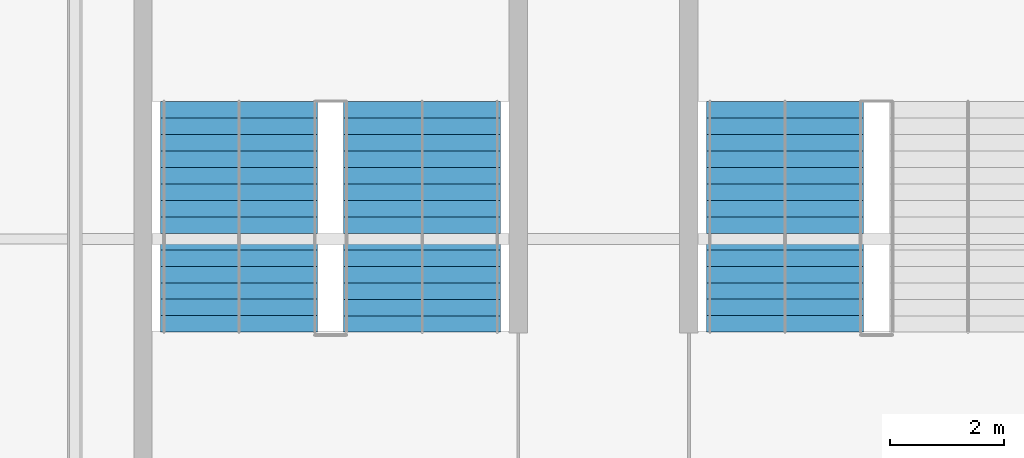
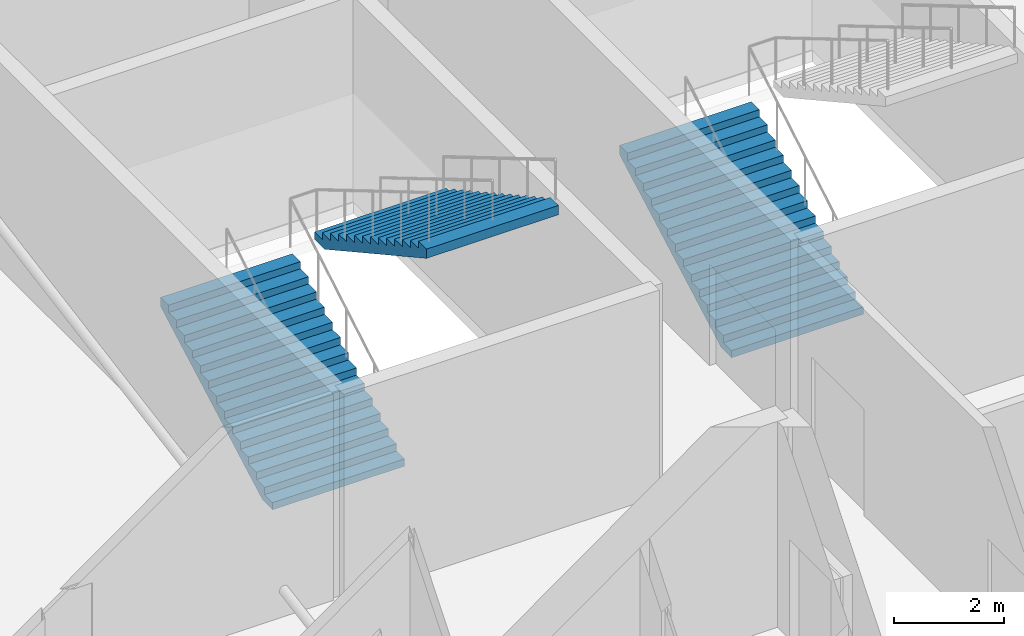
# One storey, part 116 of 136: 3 stair flights, 2 elements without a shape of their own.
"""IFC4 building model written with IfcOpenShell, lengths in metres."""

from ifc_helpers import new_model, si_unit, direction, frame, origin, place, context, subcontext, project, spatial, polygons, material, type_object, element, aggregate, save


model = new_model("IFC4")

# Units and contexts
model_context = context("Model", 3, precision=1e-05, world=origin(), true_north=direction((0.0, 1.0)))
body_context = subcontext(model_context, "Body", "Model", "MODEL_VIEW")
ifc_project = project(units=[si_unit("LENGTHUNIT", "METRE"), si_unit("AREAUNIT", "SQUARE_METRE"), si_unit("VOLUMEUNIT", "CUBIC_METRE"), si_unit("PLANEANGLEUNIT", "RADIAN"), si_unit("MASSUNIT", "GRAM", prefix="KILO")], contexts=[model_context])

# Site, building, storey
site_placement = place(None, origin())
site = spatial("IfcSite", under=ifc_project, at=site_placement, CompositionType="ELEMENT")
building_placement = place(site_placement, origin())
building = spatial("IfcBuilding", under=site, at=building_placement, Name="Kisiwana Market Hall", CompositionType="ELEMENT")
storey_placement = place(building_placement, frame((0.0, 0.0, 16.800048828125)))
storey = spatial("IfcBuildingStorey", under=building, at=storey_placement, Name="L03", CompositionType="ELEMENT", Elevation=16.800048828125)

# Stair, stair flights
ifc_material_1 = material(Name="Concrete C32/40", Category="concrete")
stair_type = type_object("IfcStairType", Name="ST-ESC-4800", PredefinedType="TWO_STRAIGHT_RUN_STAIR", material=ifc_material_1)
stair_1_placement = place(storey_placement, origin())
stair_1 = element("IfcStair", 1, at=stair_1_placement, inside=storey, type_object=stair_type, Name="Escape stair ST-W3-L03", PredefinedType="TWO_STRAIGHT_RUN_STAIR")
ifc_material_2 = material(Name="Concrete C32/40", Category="concrete")
stair_flight_type = type_object("IfcStairFlightType", Name="SF-ESC-4800", PredefinedType="STRAIGHT", material=ifc_material_2)
stair_flight_1_placement = place(storey_placement, frame((11.889892578125, 42.360107421875, 0.0), z_axis=(0.0, 0.0, 1.0), x_axis=(0.0, 1.0, 0.0)))
stair_flight_1 = element("IfcStairFlight", 2, at=stair_flight_1_placement, type_object=stair_flight_type, Name="ST-W3-L03 flight 1", NumberOfRisers=15, NumberOfTreads=14, PredefinedType="STRAIGHT", RiserHeight=0.16, TreadLength=0.29, context=body_context, shape_type="Tessellation", body=[
    polygons([(0.0, -1.380127, 0.0), (0.0, -0.690125, 0.0), (0.0, -0.000122, 0.0), (0.0, 0.68988, 0.0), (0.0, 1.379883, 0.0), (0.0, -1.380127, 0.159912), (0.0, -0.690125, 0.159912), (0.0, -0.000122, 0.159912), (0.0, 0.68988, 0.159912), (0.0, 1.379883, 0.159912), (0.290039, -1.380127, 0.159912), (0.290039, -0.690125, 0.159912), (0.290039, -0.000122, 0.159912), (0.290039, 0.68988, 0.159912), (0.290039, 1.379883, 0.159912), (0.290039, -1.380127, 0.320068), (0.290039, -0.690125, 0.320068), (0.290039, -0.000122, 0.320068), (0.290039, 0.68988, 0.320068), (0.290039, 1.379883, 0.320068), (0.580078, -1.380127, 0.320068), (0.580078, -0.690125, 0.320068), (0.580078, -0.000122, 0.320068), (0.580078, 0.68988, 0.320068), (0.580078, 1.379883, 0.320068), (0.580078, -1.380127, 0.47998), (0.580078, -0.690125, 0.47998), (0.580078, -0.000122, 0.47998), (0.580078, 0.68988, 0.47998), (0.580078, 1.379883, 0.47998), (0.870117, -1.380127, 0.47998), (0.870117, -0.690125, 0.47998), (0.870117, -0.000122, 0.47998), (0.870117, 0.68988, 0.47998), (0.870117, 1.379883, 0.47998), (0.870117, -1.380127, 0.639893), (0.870117, -0.690125, 0.639893), (0.870117, -0.000122, 0.639893), (0.870117, 0.68988, 0.639893), (0.870117, 1.379883, 0.639893), (1.159912, -1.380127, 0.639893), (1.159912, -0.690125, 0.639893), (1.159912, -0.000122, 0.639893), (1.159912, 0.68988, 0.639893), (1.159912, 1.379883, 0.639893), (1.159912, -1.380127, 0.800049), (1.159912, -0.690125, 0.800049), (1.159912, -0.000122, 0.800049), (1.159912, 0.68988, 0.800049), (1.159912, 1.379883, 0.800049), (1.449951, -1.380127, 0.800049), (1.449951, -0.690125, 0.800049), (1.449951, -0.000122, 0.800049), (1.449951, 0.68988, 0.800049), (1.449951, 1.379883, 0.800049), (1.449951, -1.380127, 0.959961), (1.449951, -0.690125, 0.959961), (1.449951, -0.000122, 0.959961), (1.449951, 0.68988, 0.959961), (1.449951, 1.379883, 0.959961), (1.73999, -1.380127, 0.959961), (1.73999, -0.690125, 0.959961), (1.73999, -0.000122, 0.959961), (1.73999, 0.68988, 0.959961), (1.73999, 1.379883, 0.959961), (1.73999, -1.380127, 1.120117), (1.73999, -0.690125, 1.120117), (1.73999, -0.000122, 1.120117), (1.73999, 0.68988, 1.120117), (1.73999, 1.379883, 1.120117), (2.030029, -1.380127, 1.120117), (2.030029, -0.690125, 1.120117), (2.030029, -0.000122, 1.120117), (2.030029, 0.68988, 1.120117), (2.030029, 1.379883, 1.120117), (2.030029, -1.380127, 1.280029), (2.030029, -0.690125, 1.280029), (2.030029, -0.000122, 1.280029), (2.030029, 0.68988, 1.280029), (2.030029, 1.379883, 1.280029), (2.320068, -1.380127, 1.280029), (2.320068, -0.690125, 1.280029), (2.320068, -0.000122, 1.280029), (2.320068, 0.68988, 1.280029), (2.320068, 1.379883, 1.280029), (2.320068, -1.380127, 1.439941), (2.320068, -0.690125, 1.439941), (2.320068, -0.000122, 1.439941), (2.320068, 0.68988, 1.439941), (2.320068, 1.379883, 1.439941), (2.610107, -1.380127, 1.439941), (2.610107, -0.690125, 1.439941), (2.610107, -0.000122, 1.439941), (2.610107, 0.68988, 1.439941), (2.610107, 1.379883, 1.439941), (2.610107, -1.380127, 1.600098), (2.610107, -0.690125, 1.600098), (2.610107, -0.000122, 1.600098), (2.610107, 0.68988, 1.600098), (2.610107, 1.379883, 1.600098), (2.899902, -1.380127, 1.600098), (2.899902, -0.690125, 1.600098), (2.899902, -0.000122, 1.600098), (2.899902, 0.68988, 1.600098), (2.899902, 1.379883, 1.600098), (2.899902, -1.380127, 1.76001), (2.899902, -0.690125, 1.76001), (2.899902, -0.000122, 1.76001), (2.899902, 0.68988, 1.76001), (2.899902, 1.379883, 1.76001), (3.189941, -1.380127, 1.76001), (3.189941, -0.690125, 1.76001), (3.189941, -0.000122, 1.76001), (3.189941, 0.68988, 1.76001), (3.189941, 1.379883, 1.76001), (3.189941, -1.380127, 1.919922), (3.189941, -0.690125, 1.919922), (3.189941, -0.000122, 1.919922), (3.189941, 0.68988, 1.919922), (3.189941, 1.379883, 1.919922), (3.47998, -1.380127, 1.919922), (3.47998, -0.690125, 1.919922), (3.47998, -0.000122, 1.919922), (3.47998, 0.68988, 1.919922), (3.47998, 1.379883, 1.919922), (3.47998, -1.380127, 2.080078), (3.47998, -0.690125, 2.080078), (3.47998, -0.000122, 2.080078), (3.47998, 0.68988, 2.080078), (3.47998, 1.379883, 2.080078), (3.77002, -1.380127, 2.080078), (3.77002, -0.690125, 2.080078), (3.77002, -0.000122, 2.080078), (3.77002, 0.68988, 2.080078), (3.77002, 1.379883, 2.080078), (3.77002, -1.380127, 2.23999), (3.77002, -0.690125, 2.23999), (3.77002, -0.000122, 2.23999), (3.77002, 0.68988, 2.23999), (3.77002, 1.379883, 2.23999), (4.060059, -1.380127, 2.23999), (4.060059, -0.690125, 2.23999), (4.060059, -0.000122, 2.23999), (4.060059, 0.68988, 2.23999), (4.060059, 1.379883, 2.23999), (4.060059, -1.380127, 2.034424), (4.060059, -0.690125, 2.034424), (4.060059, -0.000122, 2.034424), (4.060059, 0.68988, 2.034424), (4.060059, 1.379883, 2.034424), (0.372559, -1.380127, 0.0), (0.372559, -0.690125, 0.0), (0.372559, -0.000122, 0.0), (0.372559, 0.68988, 0.0), (0.372559, 1.379883, 0.0)], [[[1, 6, 7, 2]], [[2, 7, 8, 3]], [[3, 8, 9, 4]], [[4, 9, 10, 5]], [[6, 11, 12, 7]], [[7, 12, 13, 8]], [[8, 13, 14, 9]], [[9, 14, 15, 10]], [[11, 16, 17, 12]], [[12, 17, 18, 13]], [[13, 18, 19, 14]], [[14, 19, 20, 15]], [[16, 21, 22, 17]], [[17, 22, 23, 18]], [[18, 23, 24, 19]], [[19, 24, 25, 20]], [[21, 26, 27, 22]], [[22, 27, 28, 23]], [[23, 28, 29, 24]], [[24, 29, 30, 25]], [[26, 31, 32, 27]], [[27, 32, 33, 28]], [[28, 33, 34, 29]], [[29, 34, 35, 30]], [[31, 36, 37, 32]], [[32, 37, 38, 33]], [[33, 38, 39, 34]], [[34, 39, 40, 35]], [[36, 41, 42, 37]], [[37, 42, 43, 38]], [[38, 43, 44, 39]], [[39, 44, 45, 40]], [[41, 46, 47, 42]], [[42, 47, 48, 43]], [[43, 48, 49, 44]], [[44, 49, 50, 45]], [[46, 51, 52, 47]], [[47, 52, 53, 48]], [[48, 53, 54, 49]], [[49, 54, 55, 50]], [[51, 56, 57, 52]], [[52, 57, 58, 53]], [[53, 58, 59, 54]], [[54, 59, 60, 55]], [[56, 61, 62, 57]], [[57, 62, 63, 58]], [[58, 63, 64, 59]], [[59, 64, 65, 60]], [[61, 66, 67, 62]], [[62, 67, 68, 63]], [[63, 68, 69, 64]], [[64, 69, 70, 65]], [[66, 71, 72, 67]], [[67, 72, 73, 68]], [[68, 73, 74, 69]], [[69, 74, 75, 70]], [[71, 76, 77, 72]], [[72, 77, 78, 73]], [[73, 78, 79, 74]], [[74, 79, 80, 75]], [[76, 81, 82, 77]], [[77, 82, 83, 78]], [[78, 83, 84, 79]], [[79, 84, 85, 80]], [[81, 86, 87, 82]], [[82, 87, 88, 83]], [[83, 88, 89, 84]], [[84, 89, 90, 85]], [[86, 91, 92, 87]], [[87, 92, 93, 88]], [[88, 93, 94, 89]], [[89, 94, 95, 90]], [[91, 96, 97, 92]], [[92, 97, 98, 93]], [[93, 98, 99, 94]], [[94, 99, 100, 95]], [[96, 101, 102, 97]], [[97, 102, 103, 98]], [[98, 103, 104, 99]], [[99, 104, 105, 100]], [[101, 106, 107, 102]], [[102, 107, 108, 103]], [[103, 108, 109, 104]], [[104, 109, 110, 105]], [[106, 111, 112, 107]], [[107, 112, 113, 108]], [[108, 113, 114, 109]], [[109, 114, 115, 110]], [[111, 116, 117, 112]], [[112, 117, 118, 113]], [[113, 118, 119, 114]], [[114, 119, 120, 115]], [[116, 121, 122, 117]], [[117, 122, 123, 118]], [[118, 123, 124, 119]], [[119, 124, 125, 120]], [[121, 126, 127, 122]], [[122, 127, 128, 123]], [[123, 128, 129, 124]], [[124, 129, 130, 125]], [[126, 131, 132, 127]], [[127, 132, 133, 128]], [[128, 133, 134, 129]], [[129, 134, 135, 130]], [[131, 136, 137, 132]], [[132, 137, 138, 133]], [[133, 138, 139, 134]], [[134, 139, 140, 135]], [[136, 141, 142, 137]], [[137, 142, 143, 138]], [[138, 143, 144, 139]], [[139, 144, 145, 140]], [[141, 146, 147, 142]], [[142, 147, 148, 143]], [[143, 148, 149, 144]], [[144, 149, 150, 145]], [[146, 151, 152, 147]], [[147, 152, 153, 148]], [[148, 153, 154, 149]], [[149, 154, 155, 150]], [[151, 1, 2, 152]], [[152, 2, 3, 153]], [[153, 3, 4, 154]], [[154, 4, 5, 155]], [[151, 146, 141, 136, 131, 126, 121, 116, 111, 106, 101, 96, 91, 86, 81, 76, 71, 66, 61, 56, 51, 46, 41, 36, 31, 26, 21, 16, 11, 6, 1]], [[5, 10, 15, 20, 25, 30, 35, 40, 45, 50, 55, 60, 65, 70, 75, 80, 85, 90, 95, 100, 105, 110, 115, 120, 125, 130, 135, 140, 145, 150, 155]]], closed=True),
])
stair_flight_2_placement = place(storey_placement, frame((15.110107421875, 46.419921875, 2.39990234375), z_axis=(0.0, 0.0, 1.0), x_axis=(0.0, -1.0, 0.0)))
stair_flight_2 = element("IfcStairFlight", 3, at=stair_flight_2_placement, type_object=stair_flight_type, Name="ST-W3-L03 flight 2", NumberOfRisers=15, NumberOfTreads=14, PredefinedType="STRAIGHT", RiserHeight=0.16, TreadLength=0.29, context=body_context, shape_type="Tessellation", body=[
    polygons([(0.0, -1.380127, 0.0), (0.0, -0.690125, 0.0), (0.0, -0.000122, 0.0), (0.0, 0.68988, 0.0), (0.0, 1.379883, 0.0), (0.0, -1.380127, 0.159912), (0.0, -0.690125, 0.159912), (0.0, -0.000122, 0.159912), (0.0, 0.68988, 0.159912), (0.0, 1.379883, 0.159912), (0.290039, -1.380127, 0.159912), (0.290039, -0.690125, 0.159912), (0.290039, -0.000122, 0.159912), (0.290039, 0.68988, 0.159912), (0.290039, 1.379883, 0.159912), (0.290039, -1.380127, 0.320068), (0.290039, -0.690125, 0.320068), (0.290039, -0.000122, 0.320068), (0.290039, 0.68988, 0.320068), (0.290039, 1.379883, 0.320068), (0.580078, -1.380127, 0.320068), (0.580078, -0.690125, 0.320068), (0.580078, -0.000122, 0.320068), (0.580078, 0.68988, 0.320068), (0.580078, 1.379883, 0.320068), (0.580078, -1.380127, 0.47998), (0.580078, -0.690125, 0.47998), (0.580078, -0.000122, 0.47998), (0.580078, 0.68988, 0.47998), (0.580078, 1.379883, 0.47998), (0.870117, -1.380127, 0.47998), (0.870117, -0.690125, 0.47998), (0.870117, -0.000122, 0.47998), (0.870117, 0.68988, 0.47998), (0.870117, 1.379883, 0.47998), (0.870117, -1.380127, 0.639893), (0.870117, -0.690125, 0.639893), (0.870117, -0.000122, 0.639893), (0.870117, 0.68988, 0.639893), (0.870117, 1.379883, 0.639893), (1.159912, -1.380127, 0.639893), (1.159912, -0.690125, 0.639893), (1.159912, -0.000122, 0.639893), (1.159912, 0.68988, 0.639893), (1.159912, 1.379883, 0.639893), (1.159912, -1.380127, 0.800049), (1.159912, -0.690125, 0.800049), (1.159912, -0.000122, 0.800049), (1.159912, 0.68988, 0.800049), (1.159912, 1.379883, 0.800049), (1.449951, -1.380127, 0.800049), (1.449951, -0.690125, 0.800049), (1.449951, -0.000122, 0.800049), (1.449951, 0.68988, 0.800049), (1.449951, 1.379883, 0.800049), (1.449951, -1.380127, 0.959961), (1.449951, -0.690125, 0.959961), (1.449951, -0.000122, 0.959961), (1.449951, 0.68988, 0.959961), (1.449951, 1.379883, 0.959961), (1.73999, -1.380127, 0.959961), (1.73999, -0.690125, 0.959961), (1.73999, -0.000122, 0.959961), (1.73999, 0.68988, 0.959961), (1.73999, 1.379883, 0.959961), (1.73999, -1.380127, 1.120117), (1.73999, -0.690125, 1.120117), (1.73999, -0.000122, 1.120117), (1.73999, 0.68988, 1.120117), (1.73999, 1.379883, 1.120117), (2.030029, -1.380127, 1.120117), (2.030029, -0.690125, 1.120117), (2.030029, -0.000122, 1.120117), (2.030029, 0.68988, 1.120117), (2.030029, 1.379883, 1.120117), (2.030029, -1.380127, 1.280029), (2.030029, -0.690125, 1.280029), (2.030029, -0.000122, 1.280029), (2.030029, 0.68988, 1.280029), (2.030029, 1.379883, 1.280029), (2.320068, -1.380127, 1.280029), (2.320068, -0.690125, 1.280029), (2.320068, -0.000122, 1.280029), (2.320068, 0.68988, 1.280029), (2.320068, 1.379883, 1.280029), (2.320068, -1.380127, 1.439941), (2.320068, -0.690125, 1.439941), (2.320068, -0.000122, 1.439941), (2.320068, 0.68988, 1.439941), (2.320068, 1.379883, 1.439941), (2.610107, -1.380127, 1.439941), (2.610107, -0.690125, 1.439941), (2.610107, -0.000122, 1.439941), (2.610107, 0.68988, 1.439941), (2.610107, 1.379883, 1.439941), (2.610107, -1.380127, 1.600098), (2.610107, -0.690125, 1.600098), (2.610107, -0.000122, 1.600098), (2.610107, 0.68988, 1.600098), (2.610107, 1.379883, 1.600098), (2.899902, -1.380127, 1.600098), (2.899902, -0.690125, 1.600098), (2.899902, -0.000122, 1.600098), (2.899902, 0.68988, 1.600098), (2.899902, 1.379883, 1.600098), (2.899902, -1.380127, 1.76001), (2.899902, -0.690125, 1.76001), (2.899902, -0.000122, 1.76001), (2.899902, 0.68988, 1.76001), (2.899902, 1.379883, 1.76001), (3.189941, -1.380127, 1.76001), (3.189941, -0.690125, 1.76001), (3.189941, -0.000122, 1.76001), (3.189941, 0.68988, 1.76001), (3.189941, 1.379883, 1.76001), (3.189941, -1.380127, 1.919922), (3.189941, -0.690125, 1.919922), (3.189941, -0.000122, 1.919922), (3.189941, 0.68988, 1.919922), (3.189941, 1.379883, 1.919922), (3.47998, -1.380127, 1.919922), (3.47998, -0.690125, 1.919922), (3.47998, -0.000122, 1.919922), (3.47998, 0.68988, 1.919922), (3.47998, 1.379883, 1.919922), (3.47998, -1.380127, 2.080078), (3.47998, -0.690125, 2.080078), (3.47998, -0.000122, 2.080078), (3.47998, 0.68988, 2.080078), (3.47998, 1.379883, 2.080078), (3.77002, -1.380127, 2.080078), (3.77002, -0.690125, 2.080078), (3.77002, -0.000122, 2.080078), (3.77002, 0.68988, 2.080078), (3.77002, 1.379883, 2.080078), (3.77002, -1.380127, 2.23999), (3.77002, -0.690125, 2.23999), (3.77002, -0.000122, 2.23999), (3.77002, 0.68988, 2.23999), (3.77002, 1.379883, 2.23999), (4.060059, -1.380127, 2.23999), (4.060059, -0.690125, 2.23999), (4.060059, -0.000122, 2.23999), (4.060059, 0.68988, 2.23999), (4.060059, 1.379883, 2.23999), (4.060059, -1.380127, 2.034424), (4.060059, -0.690125, 2.034424), (4.060059, -0.000122, 2.034424), (4.060059, 0.68988, 2.034424), (4.060059, 1.379883, 2.034424), (0.372559, -1.380127, 0.0), (0.372559, -0.690125, 0.0), (0.372559, -0.000122, 0.0), (0.372559, 0.68988, 0.0), (0.372559, 1.379883, 0.0)], [[[1, 6, 7, 2]], [[2, 7, 8, 3]], [[3, 8, 9, 4]], [[4, 9, 10, 5]], [[6, 11, 12, 7]], [[7, 12, 13, 8]], [[8, 13, 14, 9]], [[9, 14, 15, 10]], [[11, 16, 17, 12]], [[12, 17, 18, 13]], [[13, 18, 19, 14]], [[14, 19, 20, 15]], [[16, 21, 22, 17]], [[17, 22, 23, 18]], [[18, 23, 24, 19]], [[19, 24, 25, 20]], [[21, 26, 27, 22]], [[22, 27, 28, 23]], [[23, 28, 29, 24]], [[24, 29, 30, 25]], [[26, 31, 32, 27]], [[27, 32, 33, 28]], [[28, 33, 34, 29]], [[29, 34, 35, 30]], [[31, 36, 37, 32]], [[32, 37, 38, 33]], [[33, 38, 39, 34]], [[34, 39, 40, 35]], [[36, 41, 42, 37]], [[37, 42, 43, 38]], [[38, 43, 44, 39]], [[39, 44, 45, 40]], [[41, 46, 47, 42]], [[42, 47, 48, 43]], [[43, 48, 49, 44]], [[44, 49, 50, 45]], [[46, 51, 52, 47]], [[47, 52, 53, 48]], [[48, 53, 54, 49]], [[49, 54, 55, 50]], [[51, 56, 57, 52]], [[52, 57, 58, 53]], [[53, 58, 59, 54]], [[54, 59, 60, 55]], [[56, 61, 62, 57]], [[57, 62, 63, 58]], [[58, 63, 64, 59]], [[59, 64, 65, 60]], [[61, 66, 67, 62]], [[62, 67, 68, 63]], [[63, 68, 69, 64]], [[64, 69, 70, 65]], [[66, 71, 72, 67]], [[67, 72, 73, 68]], [[68, 73, 74, 69]], [[69, 74, 75, 70]], [[71, 76, 77, 72]], [[72, 77, 78, 73]], [[73, 78, 79, 74]], [[74, 79, 80, 75]], [[76, 81, 82, 77]], [[77, 82, 83, 78]], [[78, 83, 84, 79]], [[79, 84, 85, 80]], [[81, 86, 87, 82]], [[82, 87, 88, 83]], [[83, 88, 89, 84]], [[84, 89, 90, 85]], [[86, 91, 92, 87]], [[87, 92, 93, 88]], [[88, 93, 94, 89]], [[89, 94, 95, 90]], [[91, 96, 97, 92]], [[92, 97, 98, 93]], [[93, 98, 99, 94]], [[94, 99, 100, 95]], [[96, 101, 102, 97]], [[97, 102, 103, 98]], [[98, 103, 104, 99]], [[99, 104, 105, 100]], [[101, 106, 107, 102]], [[102, 107, 108, 103]], [[103, 108, 109, 104]], [[104, 109, 110, 105]], [[106, 111, 112, 107]], [[107, 112, 113, 108]], [[108, 113, 114, 109]], [[109, 114, 115, 110]], [[111, 116, 117, 112]], [[112, 117, 118, 113]], [[113, 118, 119, 114]], [[114, 119, 120, 115]], [[116, 121, 122, 117]], [[117, 122, 123, 118]], [[118, 123, 124, 119]], [[119, 124, 125, 120]], [[121, 126, 127, 122]], [[122, 127, 128, 123]], [[123, 128, 129, 124]], [[124, 129, 130, 125]], [[126, 131, 132, 127]], [[127, 132, 133, 128]], [[128, 133, 134, 129]], [[129, 134, 135, 130]], [[131, 136, 137, 132]], [[132, 137, 138, 133]], [[133, 138, 139, 134]], [[134, 139, 140, 135]], [[136, 141, 142, 137]], [[137, 142, 143, 138]], [[138, 143, 144, 139]], [[139, 144, 145, 140]], [[141, 146, 147, 142]], [[142, 147, 148, 143]], [[143, 148, 149, 144]], [[144, 149, 150, 145]], [[146, 151, 152, 147]], [[147, 152, 153, 148]], [[148, 153, 154, 149]], [[149, 154, 155, 150]], [[151, 1, 2, 152]], [[152, 2, 3, 153]], [[153, 3, 4, 154]], [[154, 4, 5, 155]], [[151, 146, 141, 136, 131, 126, 121, 116, 111, 106, 101, 96, 91, 86, 81, 76, 71, 66, 61, 56, 51, 46, 41, 36, 31, 26, 21, 16, 11, 6, 1]], [[5, 10, 15, 20, 25, 30, 35, 40, 45, 50, 55, 60, 65, 70, 75, 80, 85, 90, 95, 100, 105, 110, 115, 120, 125, 130, 135, 140, 145, 150, 155]]], closed=True),
])
aggregate(stair_1, [stair_flight_1, stair_flight_2])

# Stair, stair flight
stair_2_placement = place(storey_placement, origin())
stair_2 = element("IfcStair", 4, at=stair_2_placement, inside=storey, type_object=stair_type, Name="Escape stair ST-W7-L03", PredefinedType="TWO_STRAIGHT_RUN_STAIR")
stair_flight_3_placement = place(storey_placement, frame((21.489990234375, 42.360107421875, 0.0), z_axis=(0.0, 0.0, 1.0), x_axis=(0.0, 1.0, 0.0)))
stair_flight_3 = element("IfcStairFlight", 5, at=stair_flight_3_placement, type_object=stair_flight_type, Name="ST-W7-L03 flight 1", NumberOfRisers=15, NumberOfTreads=14, PredefinedType="STRAIGHT", RiserHeight=0.16, TreadLength=0.29, context=body_context, shape_type="Tessellation", body=[
    polygons([(0.0, -1.380127, 0.0), (0.0, -0.690125, 0.0), (0.0, -0.000122, 0.0), (0.0, 0.68988, 0.0), (0.0, 1.379883, 0.0), (0.0, -1.380127, 0.159912), (0.0, -0.690125, 0.159912), (0.0, -0.000122, 0.159912), (0.0, 0.68988, 0.159912), (0.0, 1.379883, 0.159912), (0.290039, -1.380127, 0.159912), (0.290039, -0.690125, 0.159912), (0.290039, -0.000122, 0.159912), (0.290039, 0.68988, 0.159912), (0.290039, 1.379883, 0.159912), (0.290039, -1.380127, 0.320068), (0.290039, -0.690125, 0.320068), (0.290039, -0.000122, 0.320068), (0.290039, 0.68988, 0.320068), (0.290039, 1.379883, 0.320068), (0.580078, -1.380127, 0.320068), (0.580078, -0.690125, 0.320068), (0.580078, -0.000122, 0.320068), (0.580078, 0.68988, 0.320068), (0.580078, 1.379883, 0.320068), (0.580078, -1.380127, 0.47998), (0.580078, -0.690125, 0.47998), (0.580078, -0.000122, 0.47998), (0.580078, 0.68988, 0.47998), (0.580078, 1.379883, 0.47998), (0.870117, -1.380127, 0.47998), (0.870117, -0.690125, 0.47998), (0.870117, -0.000122, 0.47998), (0.870117, 0.68988, 0.47998), (0.870117, 1.379883, 0.47998), (0.870117, -1.380127, 0.639893), (0.870117, -0.690125, 0.639893), (0.870117, -0.000122, 0.639893), (0.870117, 0.68988, 0.639893), (0.870117, 1.379883, 0.639893), (1.159912, -1.380127, 0.639893), (1.159912, -0.690125, 0.639893), (1.159912, -0.000122, 0.639893), (1.159912, 0.68988, 0.639893), (1.159912, 1.379883, 0.639893), (1.159912, -1.380127, 0.800049), (1.159912, -0.690125, 0.800049), (1.159912, -0.000122, 0.800049), (1.159912, 0.68988, 0.800049), (1.159912, 1.379883, 0.800049), (1.449951, -1.380127, 0.800049), (1.449951, -0.690125, 0.800049), (1.449951, -0.000122, 0.800049), (1.449951, 0.68988, 0.800049), (1.449951, 1.379883, 0.800049), (1.449951, -1.380127, 0.959961), (1.449951, -0.690125, 0.959961), (1.449951, -0.000122, 0.959961), (1.449951, 0.68988, 0.959961), (1.449951, 1.379883, 0.959961), (1.73999, -1.380127, 0.959961), (1.73999, -0.690125, 0.959961), (1.73999, -0.000122, 0.959961), (1.73999, 0.68988, 0.959961), (1.73999, 1.379883, 0.959961), (1.73999, -1.380127, 1.120117), (1.73999, -0.690125, 1.120117), (1.73999, -0.000122, 1.120117), (1.73999, 0.68988, 1.120117), (1.73999, 1.379883, 1.120117), (2.030029, -1.380127, 1.120117), (2.030029, -0.690125, 1.120117), (2.030029, -0.000122, 1.120117), (2.030029, 0.68988, 1.120117), (2.030029, 1.379883, 1.120117), (2.030029, -1.380127, 1.280029), (2.030029, -0.690125, 1.280029), (2.030029, -0.000122, 1.280029), (2.030029, 0.68988, 1.280029), (2.030029, 1.379883, 1.280029), (2.320068, -1.380127, 1.280029), (2.320068, -0.690125, 1.280029), (2.320068, -0.000122, 1.280029), (2.320068, 0.68988, 1.280029), (2.320068, 1.379883, 1.280029), (2.320068, -1.380127, 1.439941), (2.320068, -0.690125, 1.439941), (2.320068, -0.000122, 1.439941), (2.320068, 0.68988, 1.439941), (2.320068, 1.379883, 1.439941), (2.610107, -1.380127, 1.439941), (2.610107, -0.690125, 1.439941), (2.610107, -0.000122, 1.439941), (2.610107, 0.68988, 1.439941), (2.610107, 1.379883, 1.439941), (2.610107, -1.380127, 1.600098), (2.610107, -0.690125, 1.600098), (2.610107, -0.000122, 1.600098), (2.610107, 0.68988, 1.600098), (2.610107, 1.379883, 1.600098), (2.899902, -1.380127, 1.600098), (2.899902, -0.690125, 1.600098), (2.899902, -0.000122, 1.600098), (2.899902, 0.68988, 1.600098), (2.899902, 1.379883, 1.600098), (2.899902, -1.380127, 1.76001), (2.899902, -0.690125, 1.76001), (2.899902, -0.000122, 1.76001), (2.899902, 0.68988, 1.76001), (2.899902, 1.379883, 1.76001), (3.189941, -1.380127, 1.76001), (3.189941, -0.690125, 1.76001), (3.189941, -0.000122, 1.76001), (3.189941, 0.68988, 1.76001), (3.189941, 1.379883, 1.76001), (3.189941, -1.380127, 1.919922), (3.189941, -0.690125, 1.919922), (3.189941, -0.000122, 1.919922), (3.189941, 0.68988, 1.919922), (3.189941, 1.379883, 1.919922), (3.47998, -1.380127, 1.919922), (3.47998, -0.690125, 1.919922), (3.47998, -0.000122, 1.919922), (3.47998, 0.68988, 1.919922), (3.47998, 1.379883, 1.919922), (3.47998, -1.380127, 2.080078), (3.47998, -0.690125, 2.080078), (3.47998, -0.000122, 2.080078), (3.47998, 0.68988, 2.080078), (3.47998, 1.379883, 2.080078), (3.77002, -1.380127, 2.080078), (3.77002, -0.690125, 2.080078), (3.77002, -0.000122, 2.080078), (3.77002, 0.68988, 2.080078), (3.77002, 1.379883, 2.080078), (3.77002, -1.380127, 2.23999), (3.77002, -0.690125, 2.23999), (3.77002, -0.000122, 2.23999), (3.77002, 0.68988, 2.23999), (3.77002, 1.379883, 2.23999), (4.060059, -1.380127, 2.23999), (4.060059, -0.690125, 2.23999), (4.060059, -0.000122, 2.23999), (4.060059, 0.68988, 2.23999), (4.060059, 1.379883, 2.23999), (4.060059, -1.380127, 2.034424), (4.060059, -0.690125, 2.034424), (4.060059, -0.000122, 2.034424), (4.060059, 0.68988, 2.034424), (4.060059, 1.379883, 2.034424), (0.372559, -1.380127, 0.0), (0.372559, -0.690125, 0.0), (0.372559, -0.000122, 0.0), (0.372559, 0.68988, 0.0), (0.372559, 1.379883, 0.0)], [[[1, 6, 7, 2]], [[2, 7, 8, 3]], [[3, 8, 9, 4]], [[4, 9, 10, 5]], [[6, 11, 12, 7]], [[7, 12, 13, 8]], [[8, 13, 14, 9]], [[9, 14, 15, 10]], [[11, 16, 17, 12]], [[12, 17, 18, 13]], [[13, 18, 19, 14]], [[14, 19, 20, 15]], [[16, 21, 22, 17]], [[17, 22, 23, 18]], [[18, 23, 24, 19]], [[19, 24, 25, 20]], [[21, 26, 27, 22]], [[22, 27, 28, 23]], [[23, 28, 29, 24]], [[24, 29, 30, 25]], [[26, 31, 32, 27]], [[27, 32, 33, 28]], [[28, 33, 34, 29]], [[29, 34, 35, 30]], [[31, 36, 37, 32]], [[32, 37, 38, 33]], [[33, 38, 39, 34]], [[34, 39, 40, 35]], [[36, 41, 42, 37]], [[37, 42, 43, 38]], [[38, 43, 44, 39]], [[39, 44, 45, 40]], [[41, 46, 47, 42]], [[42, 47, 48, 43]], [[43, 48, 49, 44]], [[44, 49, 50, 45]], [[46, 51, 52, 47]], [[47, 52, 53, 48]], [[48, 53, 54, 49]], [[49, 54, 55, 50]], [[51, 56, 57, 52]], [[52, 57, 58, 53]], [[53, 58, 59, 54]], [[54, 59, 60, 55]], [[56, 61, 62, 57]], [[57, 62, 63, 58]], [[58, 63, 64, 59]], [[59, 64, 65, 60]], [[61, 66, 67, 62]], [[62, 67, 68, 63]], [[63, 68, 69, 64]], [[64, 69, 70, 65]], [[66, 71, 72, 67]], [[67, 72, 73, 68]], [[68, 73, 74, 69]], [[69, 74, 75, 70]], [[71, 76, 77, 72]], [[72, 77, 78, 73]], [[73, 78, 79, 74]], [[74, 79, 80, 75]], [[76, 81, 82, 77]], [[77, 82, 83, 78]], [[78, 83, 84, 79]], [[79, 84, 85, 80]], [[81, 86, 87, 82]], [[82, 87, 88, 83]], [[83, 88, 89, 84]], [[84, 89, 90, 85]], [[86, 91, 92, 87]], [[87, 92, 93, 88]], [[88, 93, 94, 89]], [[89, 94, 95, 90]], [[91, 96, 97, 92]], [[92, 97, 98, 93]], [[93, 98, 99, 94]], [[94, 99, 100, 95]], [[96, 101, 102, 97]], [[97, 102, 103, 98]], [[98, 103, 104, 99]], [[99, 104, 105, 100]], [[101, 106, 107, 102]], [[102, 107, 108, 103]], [[103, 108, 109, 104]], [[104, 109, 110, 105]], [[106, 111, 112, 107]], [[107, 112, 113, 108]], [[108, 113, 114, 109]], [[109, 114, 115, 110]], [[111, 116, 117, 112]], [[112, 117, 118, 113]], [[113, 118, 119, 114]], [[114, 119, 120, 115]], [[116, 121, 122, 117]], [[117, 122, 123, 118]], [[118, 123, 124, 119]], [[119, 124, 125, 120]], [[121, 126, 127, 122]], [[122, 127, 128, 123]], [[123, 128, 129, 124]], [[124, 129, 130, 125]], [[126, 131, 132, 127]], [[127, 132, 133, 128]], [[128, 133, 134, 129]], [[129, 134, 135, 130]], [[131, 136, 137, 132]], [[132, 137, 138, 133]], [[133, 138, 139, 134]], [[134, 139, 140, 135]], [[136, 141, 142, 137]], [[137, 142, 143, 138]], [[138, 143, 144, 139]], [[139, 144, 145, 140]], [[141, 146, 147, 142]], [[142, 147, 148, 143]], [[143, 148, 149, 144]], [[144, 149, 150, 145]], [[146, 151, 152, 147]], [[147, 152, 153, 148]], [[148, 153, 154, 149]], [[149, 154, 155, 150]], [[151, 1, 2, 152]], [[152, 2, 3, 153]], [[153, 3, 4, 154]], [[154, 4, 5, 155]], [[151, 146, 141, 136, 131, 126, 121, 116, 111, 106, 101, 96, 91, 86, 81, 76, 71, 66, 61, 56, 51, 46, 41, 36, 31, 26, 21, 16, 11, 6, 1]], [[5, 10, 15, 20, 25, 30, 35, 40, 45, 50, 55, 60, 65, 70, 75, 80, 85, 90, 95, 100, 105, 110, 115, 120, 125, 130, 135, 140, 145, 150, 155]]], closed=True),
])
aggregate(stair_2, [stair_flight_3])

save(model, "model.ifc")
